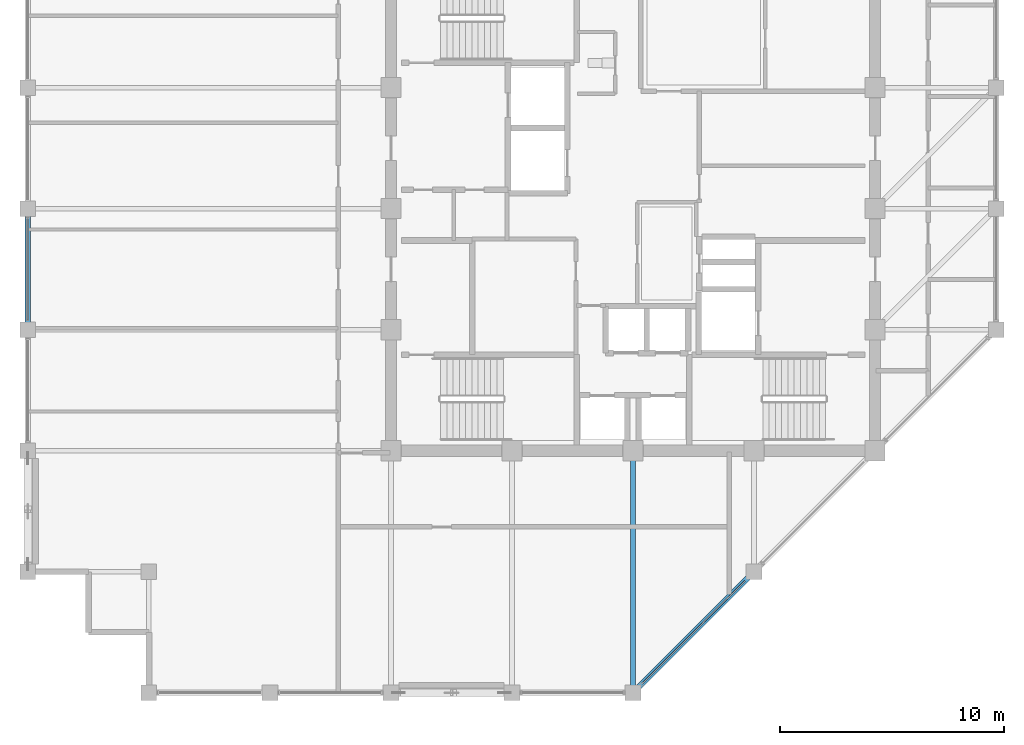
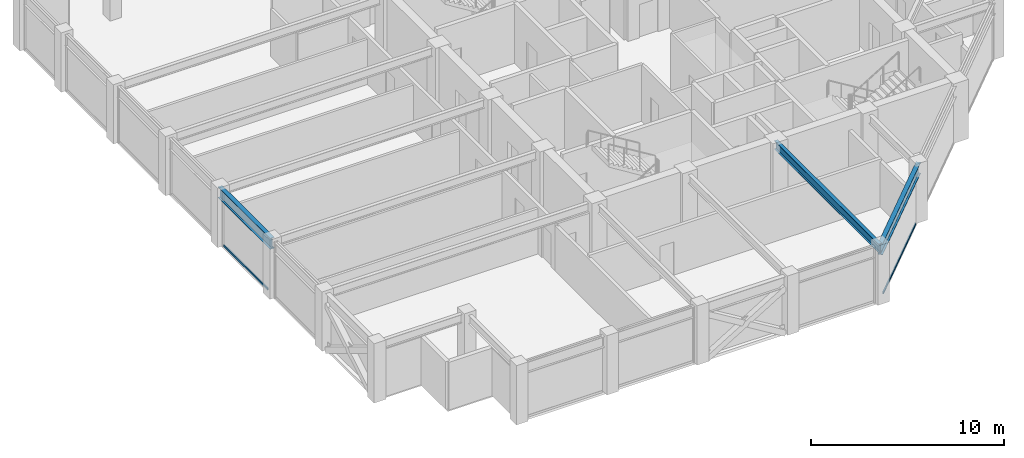
# One storey, part 7 of 31: 3 beams, 2 members, 2 elements without a shape of their own.
"""IFC4 building model written with IfcOpenShell, lengths in metres."""

from ifc_helpers import new_model, si_unit, direction, frame, origin, origin_2d, place, context, subcontext, project, spatial, hollow_rectangle, i_section, extrude, material, layer, layer_set, material_profile, profile_set, type_object, element, aggregate, save


model = new_model("IFC4")

# Units and contexts
model_context = context("Model", 3, precision=1e-05, world=origin(), true_north=direction((0.0, 1.0)))
body_context = subcontext(model_context, "Body", "Model", "MODEL_VIEW")
ifc_project = project(units=[si_unit("LENGTHUNIT", "METRE"), si_unit("AREAUNIT", "SQUARE_METRE"), si_unit("VOLUMEUNIT", "CUBIC_METRE"), si_unit("PLANEANGLEUNIT", "RADIAN"), si_unit("MASSUNIT", "GRAM", prefix="KILO")], contexts=[model_context])

# Site, building, storey
site_placement = place(None, origin())
site = spatial("IfcSite", under=ifc_project, at=site_placement, CompositionType="ELEMENT")
building_placement = place(site_placement, origin())
building = spatial("IfcBuilding", under=site, at=building_placement, Name="Surkhivell Harbour Commons", CompositionType="ELEMENT")
storey_placement = place(building_placement, frame((0.0, 0.0, 330.0)))
storey = spatial("IfcBuildingStorey", under=building, at=storey_placement, Name="L86", CompositionType="ELEMENT", Elevation=330.0)

# Beams
ifc_material_1 = material(Name="Steel S355", Category="steel")
ifc_material_profile_1 = material_profile(ifc_material_1, i_section(OverallWidth=0.2099609375, OverallDepth=0.537109375, WebThickness=0.0107421875, FlangeThickness=0.017333984375, at=origin_2d()), Name="UB533x210x101")
ifc_profile_set_1 = profile_set([ifc_material_profile_1], Name="Steel S355")
beam_type_1 = type_object("IfcBeamType", Name="BM-GRD-533B", PredefinedType="BEAM", material=ifc_profile_set_1)
beam_1_placement = place(storey_placement, frame((0.0, -21.60009765625, 3.301513671875), z_axis=(0.0, 1.0, 0.0), x_axis=(-1.0, 0.0, 0.0)))
element("IfcBeam", 1, at=beam_1_placement, inside=storey, type_object=beam_type_1, Name="L86 Floor Girder (0.0,-21.6)", PredefinedType="BEAM", context=body_context, shape_type="SweptSolid", body=[
    extrude(i_section(OverallWidth=0.2099609375, OverallDepth=0.537109375, WebThickness=0.0107421875, FlangeThickness=0.017333984375, at=origin_2d()), origin(), (0.0, 0.0, 1.0), 10.800048828125),
])
ifc_material_profile_2 = material_profile(ifc_material_1, i_section(OverallWidth=0.256103515625, OverallDepth=0.693115234375, WebThickness=0.014404296875, FlangeThickness=0.023681640625, at=origin_2d()), Name="UB686x254x170")
ifc_profile_set_2 = profile_set([ifc_material_profile_2], Name="Steel S355")
beam_type_2 = type_object("IfcBeamType", Name="BM-SPN-686", PredefinedType="SPANDREL", material=ifc_profile_set_2)
beam_2_placement = place(storey_placement, frame((-27.0, -5.39990234375, 3.223388671875), z_axis=(0.0, 1.0, 0.0), x_axis=(-1.0, 0.0, 0.0)))
element("IfcBeam", 2, at=beam_2_placement, inside=storey, type_object=beam_type_2, Name="L86 Tube Spandrel (-27.0,-5.4)", PredefinedType="SPANDREL", context=body_context, shape_type="SweptSolid", body=[
    extrude(i_section(OverallWidth=0.256103515625, OverallDepth=0.693115234375, WebThickness=0.014404296875, FlangeThickness=0.023681640625, at=origin_2d()), origin(), (0.0, 0.0, 1.0), 5.39990234375),
])
beam_3_placement = place(storey_placement, frame((0.0, -21.60009765625, 3.223388671875), z_axis=(0.707090796496, 0.707122765516, 0.0), x_axis=(-0.707122765516, 0.707090796496, 0.0)))
element("IfcBeam", 3, at=beam_3_placement, inside=storey, type_object=beam_type_2, Name="L86 Tube Spandrel (-0.0,-21.6)", PredefinedType="SPANDREL", context=body_context, shape_type="SweptSolid", body=[
    extrude(i_section(OverallWidth=0.256103515625, OverallDepth=0.693115234375, WebThickness=0.014404296875, FlangeThickness=0.023681640625, at=origin_2d()), origin(), (0.0, 0.0, 1.0), 7.63671875),
])

# Curtain wall, member
ifc_material_2 = material(Name="Anodised pale-metal aluminium and insulated glazing", Category="aluminium")
ifc_layer = layer(ifc_material_2, 0.175048828125)
ifc_layer_set = layer_set([ifc_layer], Name="Anodised pale-metal aluminium and insulated glazing")
curtain_wall_type = type_object("IfcCurtainWallType", Name="CW-SYS-Z4", PredefinedType="NOTDEFINED", material=ifc_layer_set)
curtain_wall_1_placement = place(storey_placement, origin())
curtain_wall_1 = element("IfcCurtainWall", 4, at=curtain_wall_1_placement, inside=storey, type_object=curtain_wall_type, Name="L86 Curtain Wall CW-L86-E01", PredefinedType="NOTDEFINED")
ifc_material_3 = material(Name="Champagne anodised aluminium alloy 6063-T6", Category="aluminium")
ifc_material_profile_3 = material_profile(ifc_material_3, hollow_rectangle(XDim=0.070068359375, YDim=0.1298828125, WallThickness=0.00341796875, at=origin_2d()), Name="ALU-TRAN-70x130")
ifc_profile_set_3 = profile_set([ifc_material_profile_3], Name="Champagne anodised aluminium alloy 6063-T6")
member_type = type_object("IfcMemberType", Name="CWT-130", PredefinedType="USERDEFINED", material=ifc_profile_set_3)
member_1_placement = place(storey_placement, frame((0.404541015625, -21.1953125, 0.06494140625), z_axis=(0.707125583467, 0.707087978406, 0.0), x_axis=(-0.707087978406, 0.707125583467, 0.0)))
member_1 = element("IfcMember", 5, at=member_1_placement, type_object=member_type, Name="CW-Z4 transom 1.1", ObjectType="TRANSOM", PredefinedType="USERDEFINED", context=body_context, shape_type="SweptSolid", body=[
    extrude(hollow_rectangle(XDim=0.070068359375, YDim=0.1298828125, WallThickness=0.00341796875, at=origin_2d()), origin(), (0.0, 0.0, 1.0), 6.4921875),
])
aggregate(curtain_wall_1, [member_1])

curtain_wall_2_placement = place(storey_placement, origin())
curtain_wall_2 = element("IfcCurtainWall", 6, at=curtain_wall_2_placement, inside=storey, type_object=curtain_wall_type, Name="L86 Curtain Wall CW-L86-E12S1", PredefinedType="NOTDEFINED")
member_2_placement = place(storey_placement, frame((-27.0, -0.427001953125, 0.06494140625), z_axis=(0.0, -1.0, 0.0), x_axis=(1.0, 0.0, 0.0)))
member_2 = element("IfcMember", 7, at=member_2_placement, type_object=member_type, Name="CW-Z4 transom 5.1", ObjectType="TRANSOM", PredefinedType="USERDEFINED", context=body_context, shape_type="SweptSolid", body=[
    extrude(hollow_rectangle(XDim=0.070068359375, YDim=0.1298828125, WallThickness=0.00341796875, at=origin_2d()), origin(), (0.0, 0.0, 1.0), 4.5458984375),
])
aggregate(curtain_wall_2, [member_2])

save(model, "model.ifc")
